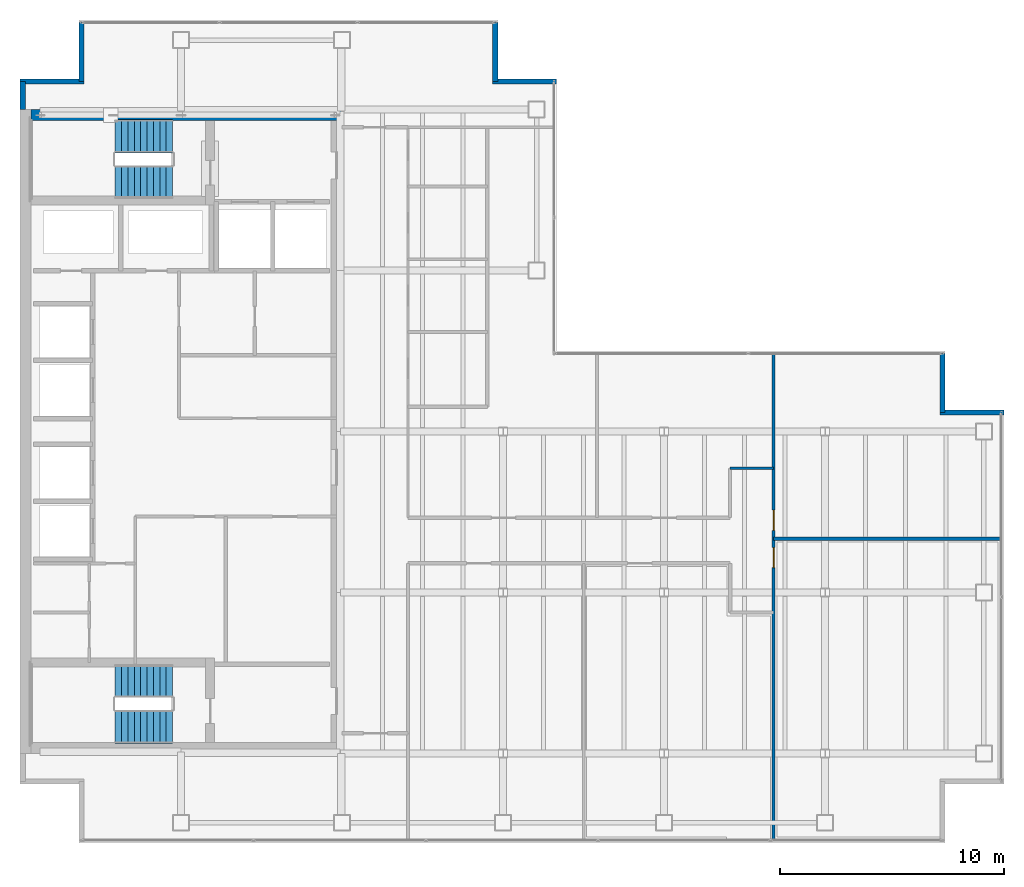
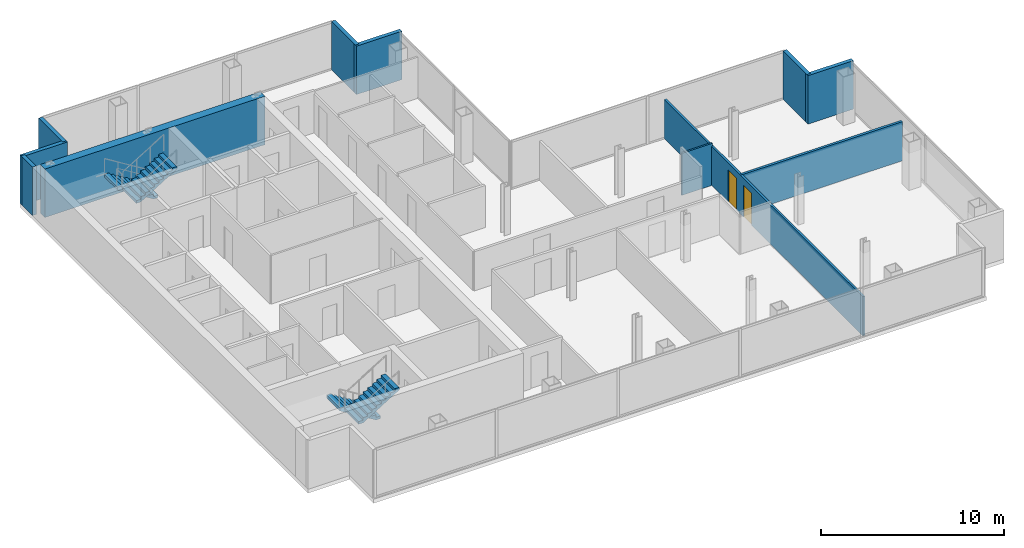
# One storey, part 22 of 23: 11 walls, 4 stair flights, 2 doors, 2 openings, 2 elements without a shape of their own.
"""IFC4 building model written with IfcOpenShell, lengths in metres."""

from ifc_helpers import new_model, si_unit, direction, frame, frame_2d, origin, place, context, subcontext, project, spatial, polyline, rectangle, outline, extrude, material, layer, layer_set, type_object, element, fill, aggregate, save


model = new_model("IFC4")

# Units and contexts
model_context = context("Model", 3, precision=1e-05, world=origin(), true_north=direction((0.0, 1.0)))
body_context = subcontext(model_context, "Body", "Model", "MODEL_VIEW")
ifc_project = project(units=[si_unit("LENGTHUNIT", "METRE"), si_unit("AREAUNIT", "SQUARE_METRE"), si_unit("VOLUMEUNIT", "CUBIC_METRE"), si_unit("PLANEANGLEUNIT", "RADIAN"), si_unit("MASSUNIT", "GRAM", prefix="KILO")], contexts=[model_context])

# Site, building, storey
site_placement = place(None, origin())
site = spatial("IfcSite", under=ifc_project, at=site_placement, CompositionType="ELEMENT")
building_placement = place(site_placement, origin())
building = spatial("IfcBuilding", under=site, at=building_placement, Name="Cobrela Telecom Tower", CompositionType="ELEMENT")
storey_placement = place(building_placement, frame((0.0, 0.0, 208.25)))
storey = spatial("IfcBuildingStorey", under=building, at=storey_placement, Name="L53", CompositionType="ELEMENT", Elevation=208.25)

# Walls
ifc_material_1 = material(Name="Concrete C40/50", Category="concrete")
ifc_layer_1 = layer(ifc_material_1, 0.5)
ifc_layer_set_1 = layer_set([ifc_layer_1], Name="Concrete C40/50")
wall_type_1 = type_object("IfcWallType", Name="WALL-CORE-C40-500", PredefinedType="SHEAR", material=ifc_layer_set_1)
wall_1_placement = place(storey_placement, frame((0.5, 35.75, 0.0), z_axis=(0.0, 0.0, 1.0), x_axis=(1.0, 0.0, 0.0)))
element("IfcWall", 1, at=wall_1_placement, inside=storey, type_object=wall_type_1, Name="L53 North Core Shear Wall", PredefinedType="SHEAR", context=body_context, shape_type="SweptSolid", body=[
    extrude(rectangle(XDim=13.89990234375, YDim=0.5, at=frame_2d((6.949951171875, 0.0))), origin(), (0.0, 0.0, 1.0), 3.239990234375),
])
ifc_layer_2 = layer(ifc_material_1, 0.239990234375)
ifc_layer_set_2 = layer_set([ifc_layer_2], Name="Concrete C40/50")
wall_type_2 = type_object("IfcWallType", Name="WALL-EXT-300", PredefinedType="STANDARD", material=ifc_layer_set_2)
wall_2_placement = place(storey_placement, frame((0.1201171875, 36.0, 0.0), z_axis=(0.0, 0.0, 1.0), x_axis=(0.0, 1.0, 0.0)))
element("IfcWall", 2, at=wall_2_placement, inside=storey, type_object=wall_type_2, Name="L53 Insulated Facade Wall 04", PredefinedType="STANDARD", context=body_context, shape_type="SweptSolid", body=[
    extrude(rectangle(XDim=1.25, YDim=0.239990234375, at=frame_2d((0.625, 0.0))), origin(), (0.0, 0.0, 1.0), 3.239990234375),
])
wall_3_placement = place(storey_placement, frame((0.0, 37.25, 0.0), z_axis=(0.0, 0.0, 1.0), x_axis=(1.0, 0.0, 0.0)))
element("IfcWall", 3, at=wall_3_placement, inside=storey, type_object=wall_type_2, Name="L53 Insulated Facade Wall 05", PredefinedType="STANDARD", context=body_context, shape_type="SweptSolid", body=[
    extrude(rectangle(XDim=2.8701171875, YDim=0.239990234375, at=frame_2d((1.43505859375, 0.0))), origin(), (0.0, 0.0, 1.0), 3.239990234375),
])
for number, where, z_axis, x_axis, name in (
    (4, (2.75, 37.25, 0.0), (0.0, 0.0, 1.0), (0.0, 1.0, 0.0), "L53 Insulated Facade Wall 06"),
    (5, (21.25, 39.8798828125, 0.0), (0.0, 0.0, 1.0), (0.0, -1.0, 0.0), "L53 Insulated Facade Wall 08"),
):
    element("IfcWall", number, at=place(storey_placement, frame(where, z_axis=z_axis, x_axis=x_axis)), inside=storey, type_object=wall_type_2, Name=name, PredefinedType="STANDARD", context=body_context, shape_type="SweptSolid", body=[
        extrude(rectangle(XDim=2.6298828125, YDim=0.239990234375, at=frame_2d((1.31494140625, 0.0))), origin(), (0.0, 0.0, 1.0), 3.239990234375),
    ])
wall_4_placement = place(storey_placement, frame((21.1298828125, 37.25, 0.0), z_axis=(0.0, 0.0, 1.0), x_axis=(1.0, 0.0, 0.0)))
element("IfcWall", 6, at=wall_4_placement, inside=storey, type_object=wall_type_2, Name="L53 Insulated Facade Wall 09", PredefinedType="STANDARD", context=body_context, shape_type="SweptSolid", body=[
    extrude(rectangle(XDim=2.8701171875, YDim=0.239990234375, at=frame_2d((1.43505859375, 0.0))), origin(), (0.0, 0.0, 1.0), 3.239990234375),
])
wall_5_placement = place(storey_placement, frame((41.25, 25.080078125, 0.0), z_axis=(0.0, 0.0, 1.0), x_axis=(0.0, -1.0, 0.0)))
element("IfcWall", 7, at=wall_5_placement, inside=storey, type_object=wall_type_2, Name="L53 Insulated Facade Wall 12", PredefinedType="STANDARD", context=body_context, shape_type="SweptSolid", body=[
    extrude(rectangle(XDim=2.630126953125, YDim=0.239990234375, at=frame_2d((1.31494140625, 0.0))), origin(), (0.0, 0.0, 1.0), 3.239990234375),
])
wall_6_placement = place(storey_placement, frame((41.1298828125, 22.449951171875, 0.0), z_axis=(0.0, 0.0, 1.0), x_axis=(1.0, 0.0, 0.0)))
element("IfcWall", 8, at=wall_6_placement, inside=storey, type_object=wall_type_2, Name="L53 Insulated Facade Wall 13", PredefinedType="STANDARD", context=body_context, shape_type="SweptSolid", body=[
    extrude(rectangle(XDim=2.8701171875, YDim=0.239990234375, at=frame_2d((1.43505859375, 0.0))), origin(), (0.0, 0.0, 1.0), 3.239990234375),
])
ifc_material_2 = material(Name="Fire-Rated Gypsum Plasterboard")
ifc_layer_3 = layer(ifc_material_2, 0.110107421875)
ifc_layer_set_3 = layer_set([ifc_layer_3], Name="Fire-Rated Gypsum Plasterboard")
wall_type_3 = type_object("IfcWallType", Name="WALL-PART-110", PredefinedType="PARTITIONING", material=ifc_layer_set_3)
wall_7_placement = place(storey_placement, frame((31.75, 19.949951171875, 0.0), z_axis=(0.0, 0.0, 1.0), x_axis=(1.0, 0.0, 0.0)))
element("IfcWall", 9, at=wall_7_placement, inside=storey, type_object=wall_type_3, Name="L53 Interior Partition W-CT-N", PredefinedType="PARTITIONING", context=body_context, shape_type="SweptSolid", body=[
    extrude(rectangle(XDim=1.949951171875, YDim=0.110107421875, at=frame_2d((0.97509765625, 0.0))), origin(), (0.0, 0.0, 1.0), 2.80810546875),
])

# Wall, openings, doors
ifc_layer_4 = layer(ifc_material_2, 0.135009765625)
ifc_layer_set_4 = layer_set([ifc_layer_4], Name="Fire-Rated Gypsum Plasterboard")
wall_type_4 = type_object("IfcWallType", Name="WALL-PART-135", PredefinedType="PARTITIONING", material=ifc_layer_set_4)
wall_8_placement = place(storey_placement, frame((33.699951171875, 3.320068359375, 0.0), z_axis=(0.0, 0.0, 1.0), x_axis=(0.0, 1.0, 0.0)))
wall_8 = element("IfcWall", 10, at=wall_8_placement, inside=storey, type_object=wall_type_4, Name="L53 Interior Partition W-C-END", PredefinedType="PARTITIONING", context=body_context, shape_type="SweptSolid", body=[
    extrude(rectangle(XDim=21.760009765625, YDim=0.135009765625, at=frame_2d((10.8798828125, 0.0))), origin(), (0.0, 0.0, 1.0), 2.613037109375),
])
opening_1_placement = place(wall_8_placement, frame((12.18994140625, 0.0, 0.0)))
opening_1 = element("IfcOpeningElement", 11, at=opening_1_placement, cuts=wall_8, Name="Opening DR-41", PredefinedType="OPENING", context=body_context, shape_type="SweptSolid", body=[
    extrude(rectangle(XDim=0.89990234375, YDim=2.14990234375, at=frame_2d((0.449951171875, 1.074951171875))), frame((0.0, 0.07958984375, 0.0), z_axis=(0.0, -1.0, 0.0), x_axis=(1.0, 0.0, 0.0)), (0.0, 0.0, 1.0), 0.158935546875),
])
opening_2_placement = place(wall_8_placement, frame((13.860107421875, 0.0, 0.0)))
opening_2 = element("IfcOpeningElement", 12, at=opening_2_placement, cuts=wall_8, Name="Opening DR-41", PredefinedType="OPENING", context=body_context, shape_type="SweptSolid", body=[
    extrude(rectangle(XDim=0.89990234375, YDim=2.14990234375, at=frame_2d((0.449951171875, 1.074951171875))), frame((0.0, 0.07958984375, 0.0), z_axis=(0.0, -1.0, 0.0), x_axis=(1.0, 0.0, 0.0)), (0.0, 0.0, 1.0), 0.158935546875),
])
ifc_material_3 = material(Name="Solid Engineered Oak Timber", Category="wood")
door_type = type_object("IfcDoorType", Name="DOOR-INT-900", OperationType="SINGLE_SWING_LEFT", PredefinedType="DOOR", material=ifc_material_3)
door_1_placement = place(opening_1_placement, origin())
door_1 = element("IfcDoor", 13, at=door_1_placement, inside=storey, type_object=door_type, Name="L53 Door DR-41", OperationType="SINGLE_SWING_LEFT", OverallHeight=2.14990234375, OverallWidth=0.89990234375, PredefinedType="DOOR", context=body_context, shape_type="SweptSolid", body=[
    extrude(rectangle(XDim=0.89990234375, YDim=2.14990234375, at=frame_2d((0.449951171875, 1.074951171875))), frame((0.0, 0.02490234375, 0.0), z_axis=(0.0, -1.0, 0.0), x_axis=(1.0, 0.0, 0.0)), (0.0, 0.0, 1.0), 0.050048828125),
])
fill(opening_1, door_1)
door_2_placement = place(opening_2_placement, origin())
door_2 = element("IfcDoor", 14, at=door_2_placement, inside=storey, type_object=door_type, Name="L53 Door DR-41", OperationType="SINGLE_SWING_RIGHT", OverallHeight=2.14990234375, OverallWidth=0.89990234375, PredefinedType="DOOR", context=body_context, shape_type="SweptSolid", body=[
    extrude(rectangle(XDim=0.89990234375, YDim=2.14990234375, at=frame_2d((0.449951171875, 1.074951171875))), frame((0.0, 0.02490234375, 0.0), z_axis=(0.0, -1.0, 0.0), x_axis=(1.0, 0.0, 0.0)), (0.0, 0.0, 1.0), 0.050048828125),
])
fill(opening_2, door_2)

# Wall
ifc_layer_5 = layer(ifc_material_2, 0.159912109375)
ifc_layer_set_5 = layer_set([ifc_layer_5], Name="Fire-Rated Gypsum Plasterboard")
wall_type_5 = type_object("IfcWallType", Name="WALL-PART-160", PredefinedType="PARTITIONING", material=ifc_layer_set_5)
wall_9_placement = place(storey_placement, frame((33.699951171875, 16.800048828125, 0.0), z_axis=(0.0, 0.0, 1.0), x_axis=(1.0, 0.0, 0.0)))
element("IfcWall", 15, at=wall_9_placement, inside=storey, type_object=wall_type_5, Name="L53 Interior Partition W-FE-H", PredefinedType="PARTITIONING", context=body_context, shape_type="SweptSolid", body=[
    extrude(rectangle(XDim=10.179931640625, YDim=0.159912109375, at=frame_2d((5.08984375, 0.0))), origin(), (0.0, 0.0, 1.0), 2.613037109375),
])

# Stair, stair flights
stair_type = type_object("IfcStairType", Name="STAIR-CORE", PredefinedType="HALF_TURN_STAIR", material=ifc_material_1)
stair_1_placement = place(storey_placement, origin())
stair_1 = element("IfcStair", 16, at=stair_1_placement, inside=storey, type_object=stair_type, Name="L53 Smokeproof Exit Stair ST1", PredefinedType="HALF_TURN_STAIR")
stair_flight_type = type_object("IfcStairFlightType", Name="FLIGHT-CORE", PredefinedType="STRAIGHT", material=ifc_material_1)
stair_flight_1_placement = place(storey_placement, frame((6.820068359375, 34.800048828125, 0.0), z_axis=(0.0, 0.0, 1.0), x_axis=(-1.0, 0.0, 0.0)))
stair_flight_1 = element("IfcStairFlight", 17, at=stair_flight_1_placement, type_object=stair_flight_type, Name="ST1 flight 1", NumberOfRisers=10, NumberOfTreads=9, PredefinedType="STRAIGHT", RiserHeight=0.175, TreadLength=0.285, context=body_context, shape_type="SweptSolid", body=[
    extrude(outline(polyline([(0.0, 0.0), (0.0, 0.175048828125), (0.284912109375, 0.175048828125), (0.284912109375, 0.35009765625), (0.570068359375, 0.35009765625), (0.570068359375, 0.52490234375), (0.85498046875, 0.52490234375), (0.85498046875, 0.699951171875), (1.139892578125, 0.699951171875), (1.139892578125, 0.875), (1.425048828125, 0.875), (1.425048828125, 1.050048828125), (1.7099609375, 1.050048828125), (1.7099609375, 1.22509765625), (1.9951171875, 1.22509765625), (1.9951171875, 1.39990234375), (2.280029296875, 1.39990234375), (2.280029296875, 1.574951171875), (2.56494140625, 1.574951171875), (2.56494140625, 1.75), (2.56494140625, 1.399169921875), (0.286376953125, 0.0), (0.0, 0.0)])), frame((0.0, 0.75, 0.0), z_axis=(0.0, -1.0, 0.0), x_axis=(1.0, 0.0, 0.0)), (0.0, 0.0, 1.0), 1.5),
])
stair_flight_2_placement = place(storey_placement, frame((4.2548828125, 32.75, 1.75), z_axis=(0.0, 0.0, 1.0), x_axis=(1.0, 0.0, 0.0)))
stair_flight_2 = element("IfcStairFlight", 18, at=stair_flight_2_placement, type_object=stair_flight_type, Name="ST1 flight 2", NumberOfRisers=10, NumberOfTreads=9, PredefinedType="STRAIGHT", RiserHeight=0.175, TreadLength=0.285, context=body_context, shape_type="SweptSolid", body=[
    extrude(outline(polyline([(0.0, 0.0), (0.0, 0.175048828125), (0.284912109375, 0.175048828125), (0.284912109375, 0.35009765625), (0.570068359375, 0.35009765625), (0.570068359375, 0.52490234375), (0.85498046875, 0.52490234375), (0.85498046875, 0.699951171875), (1.139892578125, 0.699951171875), (1.139892578125, 0.875), (1.425048828125, 0.875), (1.425048828125, 1.050048828125), (1.7099609375, 1.050048828125), (1.7099609375, 1.22509765625), (1.9951171875, 1.22509765625), (1.9951171875, 1.39990234375), (2.280029296875, 1.39990234375), (2.280029296875, 1.574951171875), (2.56494140625, 1.574951171875), (2.56494140625, 1.75), (2.56494140625, 1.399169921875), (0.286376953125, 0.0), (0.0, 0.0)])), frame((0.0, 0.75, 0.0), z_axis=(0.0, -1.0, 0.0), x_axis=(1.0, 0.0, 0.0)), (0.0, 0.0, 1.0), 1.5),
])
aggregate(stair_1, [stair_flight_1, stair_flight_2])

stair_2_placement = place(storey_placement, origin())
stair_2 = element("IfcStair", 19, at=stair_2_placement, inside=storey, type_object=stair_type, Name="L53 Smokeproof Exit Stair ST2", PredefinedType="HALF_TURN_STAIR")
stair_flight_3_placement = place(storey_placement, frame((6.820068359375, 10.449951171875, 0.0), z_axis=(0.0, 0.0, 1.0), x_axis=(-1.0, 0.0, 0.0)))
stair_flight_3 = element("IfcStairFlight", 20, at=stair_flight_3_placement, type_object=stair_flight_type, Name="ST2 flight 1", NumberOfRisers=10, NumberOfTreads=9, PredefinedType="STRAIGHT", RiserHeight=0.175, TreadLength=0.285, context=body_context, shape_type="SweptSolid", body=[
    extrude(outline(polyline([(0.0, 0.0), (0.0, 0.175048828125), (0.284912109375, 0.175048828125), (0.284912109375, 0.35009765625), (0.570068359375, 0.35009765625), (0.570068359375, 0.52490234375), (0.85498046875, 0.52490234375), (0.85498046875, 0.699951171875), (1.139892578125, 0.699951171875), (1.139892578125, 0.875), (1.425048828125, 0.875), (1.425048828125, 1.050048828125), (1.7099609375, 1.050048828125), (1.7099609375, 1.22509765625), (1.9951171875, 1.22509765625), (1.9951171875, 1.39990234375), (2.280029296875, 1.39990234375), (2.280029296875, 1.574951171875), (2.56494140625, 1.574951171875), (2.56494140625, 1.75), (2.56494140625, 1.399169921875), (0.286376953125, 0.0), (0.0, 0.0)])), frame((0.0, 0.75, 0.0), z_axis=(0.0, -1.0, 0.0), x_axis=(1.0, 0.0, 0.0)), (0.0, 0.0, 1.0), 1.5),
])
stair_flight_4_placement = place(storey_placement, frame((4.2548828125, 8.39990234375, 1.75), z_axis=(0.0, 0.0, 1.0), x_axis=(1.0, 0.0, 0.0)))
stair_flight_4 = element("IfcStairFlight", 21, at=stair_flight_4_placement, type_object=stair_flight_type, Name="ST2 flight 2", NumberOfRisers=10, NumberOfTreads=9, PredefinedType="STRAIGHT", RiserHeight=0.175, TreadLength=0.285, context=body_context, shape_type="SweptSolid", body=[
    extrude(outline(polyline([(0.0, 0.0), (0.0, 0.175048828125), (0.284912109375, 0.175048828125), (0.284912109375, 0.35009765625), (0.570068359375, 0.35009765625), (0.570068359375, 0.52490234375), (0.85498046875, 0.52490234375), (0.85498046875, 0.699951171875), (1.139892578125, 0.699951171875), (1.139892578125, 0.875), (1.425048828125, 0.875), (1.425048828125, 1.050048828125), (1.7099609375, 1.050048828125), (1.7099609375, 1.22509765625), (1.9951171875, 1.22509765625), (1.9951171875, 1.39990234375), (2.280029296875, 1.39990234375), (2.280029296875, 1.574951171875), (2.56494140625, 1.574951171875), (2.56494140625, 1.75), (2.56494140625, 1.399169921875), (0.286376953125, 0.0), (0.0, 0.0)])), frame((0.0, 0.75, 0.0), z_axis=(0.0, -1.0, 0.0), x_axis=(1.0, 0.0, 0.0)), (0.0, 0.0, 1.0), 1.5),
])
aggregate(stair_2, [stair_flight_3, stair_flight_4])

save(model, "model.ifc")
